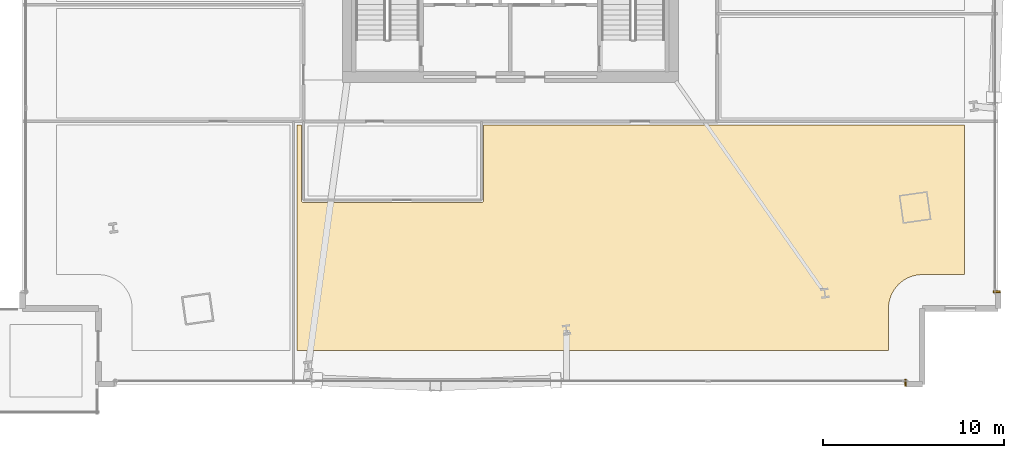
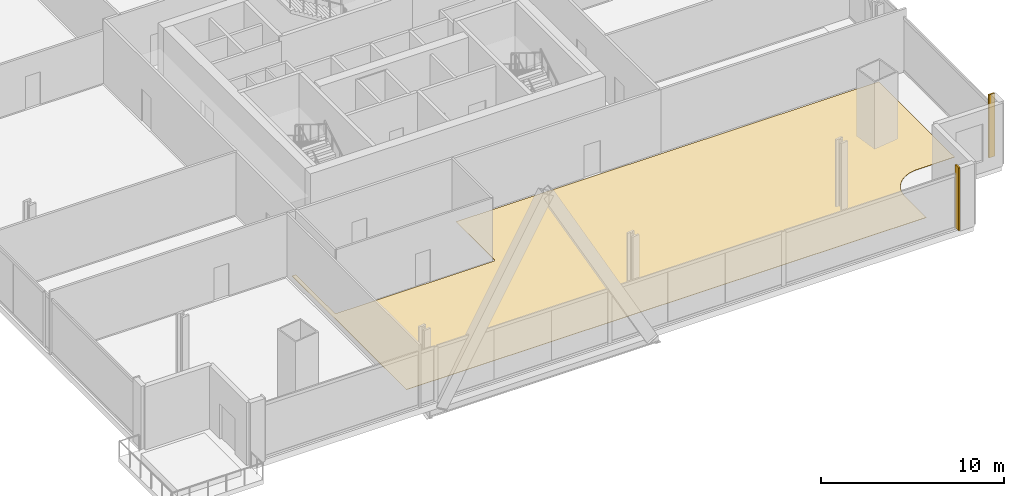
# One storey, part 26 of 29: 3 coverings.
"""IFC4 building model written with IfcOpenShell, lengths in metres."""

from ifc_helpers import new_model, si_unit, direction, frame, origin, origin_2d, place, context, subcontext, project, spatial, polyline, rectangle, outline, extrude, source, transform, mapped, material, layer, layer_set, type_object, element, save


model = new_model("IFC4")

# Units and contexts
model_context = context("Model", 3, precision=1e-05, world=origin(), true_north=direction((0.0, 1.0)))
body_context = subcontext(model_context, "Body", "Model", "MODEL_VIEW")
ifc_project = project(units=[si_unit("LENGTHUNIT", "METRE"), si_unit("AREAUNIT", "SQUARE_METRE"), si_unit("VOLUMEUNIT", "CUBIC_METRE"), si_unit("PLANEANGLEUNIT", "RADIAN"), si_unit("MASSUNIT", "GRAM", prefix="KILO")], contexts=[model_context])

# Site, building, storey
site_placement = place(None, origin())
site = spatial("IfcSite", under=ifc_project, at=site_placement, CompositionType="ELEMENT")
building_placement = place(site_placement, origin())
building = spatial("IfcBuilding", under=site, at=building_placement, Name="Haldenkirk Collegiate Tower", CompositionType="ELEMENT")
storey_placement = place(building_placement, frame((0.0, 0.0, 28.199951171875)))
storey = spatial("IfcBuildingStorey", under=building, at=storey_placement, Name="L05", CompositionType="ELEMENT", Elevation=28.199951171875)

# Coverings
ifc_material_1 = material(Name="Engineered collegiate oak acoustic flooring", Category="wood")
ifc_layer_1 = layer(ifc_material_1, 0.02197265625)
ifc_layer_set_1 = layer_set([ifc_layer_1], Name="Engineered collegiate oak acoustic flooring")
covering_type_1 = type_object("IfcCoveringType", Name="COV-FLOOR-TIMBER", PredefinedType="FLOORING", material=ifc_layer_set_1)
covering_placement = place(storey_placement, origin())
element("IfcCovering", 1, at=covering_placement, inside=storey, type_object=covering_type_1, Name="L05 academic room finish 03", PredefinedType="FLOORING", context=body_context, shape_type="SweptSolid", body=[
    extrude(outline(polyline([(24.43994140625, 11.179931640625), (24.440673828125, 11.168212890625), (24.4423828125, 11.156494140625), (24.4453125, 11.145263671875), (24.44921875, 11.134033203125), (24.4541015625, 11.123291015625), (24.460205078125, 11.11328125), (24.46728515625, 11.10400390625), (24.47509765625, 11.09521484375), (24.48388671875, 11.087158203125), (24.493408203125, 11.080078125), (24.50341796875, 11.07421875), (24.51416015625, 11.069091796875), (24.525146484375, 11.065185546875), (24.53662109375, 11.062255859375), (24.548095703125, 11.060546875), (24.56005859375, 11.06005859375), (34.39990234375, 11.06005859375), (34.411865234375, 11.060546875), (34.42333984375, 11.062255859375), (34.434814453125, 11.065185546875), (34.44580078125, 11.069091796875), (34.45654296875, 11.07421875), (34.466796875, 11.080078125), (34.47607421875, 11.087158203125), (34.48486328125, 11.09521484375), (34.492919921875, 11.10400390625), (34.499755859375, 11.11328125), (34.505859375, 11.123291015625), (34.510986328125, 11.134033203125), (34.514892578125, 11.145263671875), (34.517578125, 11.156494140625), (34.519287109375, 11.168212890625), (34.52001953125, 11.179931640625), (34.52001953125, 15.35009765625), (61.1298828125, 15.35009765625), (61.1298828125, 7.070068359375), (58.800048828125, 7.070068359375), (58.794189453125, 7.06982421875), (58.62255859375, 7.0615234375), (58.61083984375, 7.060302734375), (58.44091796875, 7.03515625), (58.429443359375, 7.03271484375), (58.2626953125, 6.990966796875), (58.251708984375, 6.987548828125), (58.08984375, 6.9296875), (58.0791015625, 6.92529296875), (57.923828125, 6.851806640625), (57.913330078125, 6.84619140625), (57.76611328125, 6.758056640625), (57.75634765625, 6.75146484375), (57.618408203125, 6.649169921875), (57.609130859375, 6.6416015625), (57.48193359375, 6.5263671875), (57.4736328125, 6.51806640625), (57.3583984375, 6.390869140625), (57.350830078125, 6.381591796875), (57.24853515625, 6.24365234375), (57.241943359375, 6.23388671875), (57.15380859375, 6.086669921875), (57.148193359375, 6.076171875), (57.07470703125, 5.9208984375), (57.0703125, 5.91015625), (57.012451171875, 5.748291015625), (57.009033203125, 5.7373046875), (56.96728515625, 5.570556640625), (56.96484375, 5.55908203125), (56.939697265625, 5.38916015625), (56.9384765625, 5.37744140625), (56.93017578125, 5.205810546875), (56.929931640625, 5.199951171875), (56.929931640625, 2.8701171875), (24.199951171875, 2.8701171875), (24.199951171875, 15.35009765625), (24.43994140625, 15.35009765625), (24.43994140625, 11.179931640625)])), origin(), (0.0, 0.0, 1.0), 0.02197265625),
])
ifc_material_2 = material(Name="Anodised architectural bronze aluminium", Category="aluminium")
ifc_layer_2 = layer(ifc_material_2, 0.06005859375)
ifc_layer_set_2 = layer_set([ifc_layer_2], Name="Anodised architectural bronze aluminium")
covering_type_2 = type_object("IfcCoveringType", Name="COV-CLAD-BRONZE-60", PredefinedType="CLADDING", material=ifc_layer_set_2)
shared_shape = source(origin(), body_context, "Body", "SweptSolid", [
    extrude(rectangle(XDim=0.10009765625, YDim=0.3798828125, at=origin_2d()), origin(), (0.0, 0.0, 1.0), 4.18994140625),
])
for number, where, z_axis, x_axis, name in (
    (2, (57.8701171875, 1.090087890625, 0.0), (0.0, 0.0, 1.0), (-1.0, 0.0, 0.0), "L05 recessed curtain-wall bronze jamb closure SJL"),
    (3, (62.909912109375, 6.1298828125, 0.0), (0.0, 0.0, 1.0), (0.0, -1.0, 0.0), "L05 recessed curtain-wall bronze jamb closure EJR"),
):
    element("IfcCovering", number, at=place(storey_placement, frame(where, z_axis=z_axis, x_axis=x_axis)), inside=storey, type_object=covering_type_2, Name=name, PredefinedType="CLADDING", context=body_context, shape_type="MappedRepresentation", body=[
        mapped(shared_shape, transform((0.0, 0.0, 0.0), x_axis=(1.0, 0.0, 0.0), y_axis=(0.0, 1.0, 0.0), z_axis=(0.0, 0.0, 1.0), scale=1.0)),
    ])

save(model, "model.ifc")
